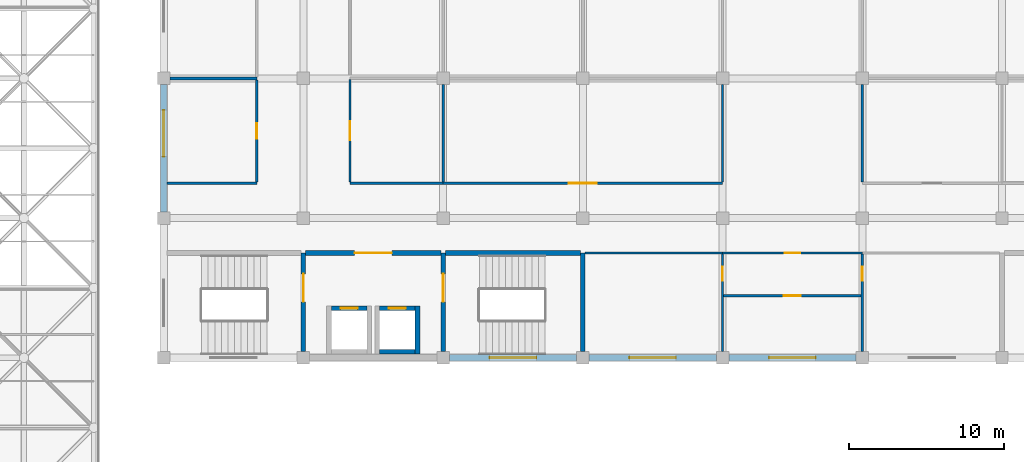
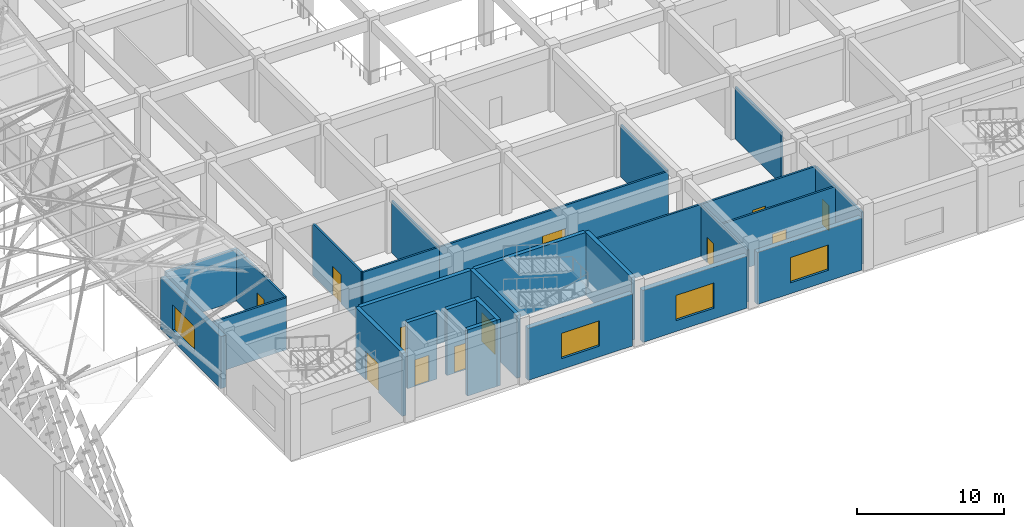
# One storey, part 276 of 437: 27 walls, 12 doors, 4 windows, 16 openings.
"""IFC4 building model written with IfcOpenShell, lengths in metres."""

from ifc_helpers import new_model, si_unit, direction, frame, frame_2d, origin, place, context, subcontext, project, spatial, rectangle, extrude, material, layer, layer_set, type_object, element, fill, save


model = new_model("IFC4")

# Units and contexts
model_context = context("Model", 3, precision=1e-05, world=origin(), true_north=direction((0.0, 1.0)))
body_context = subcontext(model_context, "Body", "Model", "MODEL_VIEW")
ifc_project = project(units=[si_unit("LENGTHUNIT", "METRE"), si_unit("AREAUNIT", "SQUARE_METRE"), si_unit("VOLUMEUNIT", "CUBIC_METRE"), si_unit("PLANEANGLEUNIT", "RADIAN"), si_unit("MASSUNIT", "GRAM", prefix="KILO")], contexts=[model_context])

# Site, building, storey
site_placement = place(None, origin())
site = spatial("IfcSite", under=ifc_project, at=site_placement, CompositionType="ELEMENT")
building_placement = place(site_placement, origin())
building = spatial("IfcBuilding", under=site, at=building_placement, Name="Opaline Strait Convention Centre", CompositionType="ELEMENT")
storey_placement = place(building_placement, frame((0.0, 0.0, 11.5)))
storey = spatial("IfcBuildingStorey", under=building, at=storey_placement, Name="L02", CompositionType="ELEMENT", Elevation=11.5)

# Walls
ifc_material_1 = material(Name="Gypsum board")
ifc_layer_1 = layer(ifc_material_1, 0.050048828125)
ifc_material_2 = material(Name="Steel stud and mineral wool", Category="steel")
ifc_layer_2 = layer(ifc_material_2, 0.10009765625)
ifc_layer_3 = layer(ifc_material_1, 0.050048828125)
ifc_layer_set_1 = layer_set([ifc_layer_1, ifc_layer_2, ifc_layer_3], Name="Gypsum board, Steel stud and mineral wool, Gypsum board")
wall_type_1 = type_object("IfcWallType", Name="Acoustic partition 200 EI45", PredefinedType="PARTITIONING", material=ifc_layer_set_1)
wall_1_placement = place(storey_placement, frame((279.39990234375, 108.0, 0.0), z_axis=(0.0, 0.0, 1.0), x_axis=(1.0, 0.0, 0.0)))
element("IfcWall", 1, at=wall_1_placement, inside=storey, type_object=wall_type_1, Name="MPW5 partition Boardroom 2.01 N", PredefinedType="PARTITIONING", context=body_context, shape_type="SweptSolid", body=[
    extrude(rectangle(XDim=5.60009765625, YDim=0.199951171875, at=frame_2d((2.800048828125, 0.0))), origin(), (0.0, 0.0, 1.0), 4.320068359375),
])
ifc_layer_4 = layer(ifc_material_1, 0.032470703125)
ifc_layer_5 = layer(ifc_material_2, 0.0849609375)
ifc_layer_6 = layer(ifc_material_1, 0.032470703125)
ifc_layer_set_2 = layer_set([ifc_layer_4, ifc_layer_5, ifc_layer_6], Name="Gypsum board, Steel stud and mineral wool, Gypsum board")
wall_type_2 = type_object("IfcWallType", Name="Corridor partition 150 EI60", PredefinedType="PARTITIONING", material=ifc_layer_set_2)
wall_2_placement = place(storey_placement, frame((279.199951171875, 101.25, 0.0), z_axis=(0.0, 0.0, 1.0), x_axis=(1.0, 0.0, 0.0)))
element("IfcWall", 2, at=wall_2_placement, inside=storey, type_object=wall_type_2, Name="MPW1 partition Boardroom 2.01 S", PredefinedType="PARTITIONING", context=body_context, shape_type="SweptSolid", body=[
    extrude(rectangle(XDim=5.800048828125, YDim=0.14990234375, at=frame_2d((2.89990234375, 0.0))), origin(), (0.0, 0.0, 1.0), 4.320068359375),
])

# Wall, opening, door
wall_3_placement = place(storey_placement, frame((285.0, 101.324951171875, 0.0), z_axis=(0.0, 0.0, 1.0), x_axis=(0.0, 1.0, 0.0)))
wall_3 = element("IfcWall", 3, at=wall_3_placement, inside=storey, type_object=wall_type_2, Name="MPW1 partition Boardroom 2.01 E", PredefinedType="PARTITIONING", context=body_context, shape_type="SweptSolid", body=[
    extrude(rectangle(XDim=6.574951171875, YDim=0.14990234375, at=frame_2d((3.28759765625, 0.0))), origin(), (0.0, 0.0, 1.0), 4.320068359375),
])
opening_1_placement = place(wall_3_placement, frame((2.787353515625, 0.0, 0.0)))
opening_1 = element("IfcOpeningElement", 4, at=opening_1_placement, cuts=wall_3, Name="Opening M2-021", PredefinedType="OPENING", context=body_context, shape_type="SweptSolid", body=[
    extrude(rectangle(XDim=1.0, YDim=2.39990234375, at=frame_2d((0.5, 1.199951171875))), frame((0.0, 0.0849609375, 0.0), z_axis=(0.0, -1.0, 0.0), x_axis=(1.0, 0.0, 0.0)), (0.0, 0.0, 1.0), 0.169921875),
])
ifc_material_3 = material(Name="Solid-core timber leaf, steel frame door set", Category="steel")
door_type_1 = type_object("IfcDoorType", Name="Meeting room door FD30 1000 x 2400", OperationType="SINGLE_SWING_LEFT", PredefinedType="DOOR", material=ifc_material_3)
door_1_placement = place(opening_1_placement, frame((1.0, 0.0, 0.0), z_axis=(0.0, 0.0, 1.0), x_axis=(-1.0, 0.0, 0.0)))
door_1 = element("IfcDoor", 5, at=door_1_placement, inside=storey, type_object=door_type_1, Name="Door Boardroom 2.01", ObjectType="MD8", OperationType="SINGLE_SWING_LEFT", OverallHeight=2.39990234375, OverallWidth=1.0, PredefinedType="DOOR", context=body_context, shape_type="SweptSolid", body=[
    extrude(rectangle(XDim=1.0, YDim=2.39990234375, at=frame_2d((0.5, 1.199951171875))), frame((0.0, 0.02490234375, 0.0), z_axis=(0.0, -1.0, 0.0), x_axis=(1.0, 0.0, 0.0)), (0.0, 0.0, 1.0), 0.050048828125),
])
fill(opening_1, door_1)

wall_4_placement = place(storey_placement, frame((297.0, 101.25, 0.0), z_axis=(0.0, 0.0, 1.0), x_axis=(1.0, 0.0, 0.0)))
wall_4 = element("IfcWall", 6, at=wall_4_placement, inside=storey, type_object=wall_type_2, Name="MPW1 partition Meeting Room 2.11 S", PredefinedType="PARTITIONING", context=body_context, shape_type="SweptSolid", body=[
    extrude(rectangle(XDim=18.0, YDim=0.14990234375, at=frame_2d((9.0, 0.0))), origin(), (0.0, 0.0, 1.0), 4.320068359375),
])
opening_2_placement = place(wall_4_placement, frame((8.10009765625, 0.0, 0.0)))
opening_2 = element("IfcOpeningElement", 7, at=opening_2_placement, cuts=wall_4, Name="Opening M2-031", PredefinedType="OPENING", context=body_context, shape_type="SweptSolid", body=[
    extrude(rectangle(XDim=1.800048828125, YDim=2.39990234375, at=frame_2d((0.89990234375, 1.199951171875))), frame((0.0, 0.0849609375, 0.0), z_axis=(0.0, -1.0, 0.0), x_axis=(1.0, 0.0, 0.0)), (0.0, 0.0, 1.0), 0.169921875),
])
door_type_2 = type_object("IfcDoorType", Name="Meeting room double door FD30 1800 x 2400", OperationType="DOUBLE_DOOR_SINGLE_SWING", PredefinedType="DOOR", material=ifc_material_3)
door_2_placement = place(opening_2_placement, frame((1.800048828125, 0.0, 0.0), z_axis=(0.0, 0.0, 1.0), x_axis=(-1.0, 0.0, 0.0)))
door_2 = element("IfcDoor", 8, at=door_2_placement, inside=storey, type_object=door_type_2, Name="Door Meeting Room 2.11", ObjectType="MD7", OperationType="DOUBLE_DOOR_SINGLE_SWING", OverallHeight=2.39990234375, OverallWidth=1.800048828125, PredefinedType="DOOR", context=body_context, shape_type="SweptSolid", body=[
    extrude(rectangle(XDim=1.800048828125, YDim=2.39990234375, at=frame_2d((0.89990234375, 1.199951171875))), frame((0.0, 0.02490234375, 0.0), z_axis=(0.0, -1.0, 0.0), x_axis=(1.0, 0.0, 0.0)), (0.0, 0.0, 1.0), 0.050048828125),
])
fill(opening_2, door_2)

# Walls
wall_5_placement = place(storey_placement, frame((315.0, 101.324951171875, 0.0), z_axis=(0.0, 0.0, 1.0), x_axis=(0.0, 1.0, 0.0)))
element("IfcWall", 9, at=wall_5_placement, inside=storey, type_object=wall_type_2, Name="MPW1 partition Meeting Room 2.11 E", PredefinedType="PARTITIONING", context=body_context, shape_type="SweptSolid", body=[
    extrude(rectangle(XDim=6.275146484375, YDim=0.14990234375, at=frame_2d((3.1376953125, 0.0))), origin(), (0.0, 0.0, 1.0), 4.320068359375),
])
wall_6_placement = place(storey_placement, frame((306.14990234375, 96.75, 0.0), z_axis=(0.0, 0.0, 1.0), x_axis=(1.0, 0.0, 0.0)))
element("IfcWall", 10, at=wall_6_placement, inside=storey, type_object=wall_type_2, Name="MPW1 partition Men's WC 2.S N", PredefinedType="PARTITIONING", context=body_context, shape_type="SweptSolid", body=[
    extrude(rectangle(XDim=8.85009765625, YDim=0.14990234375, at=frame_2d((4.425048828125, 0.0))), origin(), (0.0, 0.0, 1.0), 4.320068359375),
])

# Wall, opening, door
wall_7_placement = place(storey_placement, frame((315.0, 96.75, 0.0), z_axis=(0.0, 0.0, 1.0), x_axis=(1.0, 0.0, 0.0)))
wall_7 = element("IfcWall", 11, at=wall_7_placement, inside=storey, type_object=wall_type_2, Name="MPW1 partition WC Lobby 2.S N", PredefinedType="PARTITIONING", context=body_context, shape_type="SweptSolid", body=[
    extrude(rectangle(XDim=9.0, YDim=0.14990234375, at=frame_2d((4.5, 0.0))), origin(), (0.0, 0.0, 1.0), 4.320068359375),
])
opening_3_placement = place(wall_7_placement, frame((4.0, 0.0, 0.0)))
opening_3 = element("IfcOpeningElement", 12, at=opening_3_placement, cuts=wall_7, Name="Opening M2-053", PredefinedType="OPENING", context=body_context, shape_type="SweptSolid", body=[
    extrude(rectangle(XDim=1.0, YDim=2.39990234375, at=frame_2d((0.5, 1.199951171875))), frame((0.0, 0.0849609375, 0.0), z_axis=(0.0, -1.0, 0.0), x_axis=(1.0, 0.0, 0.0)), (0.0, 0.0, 1.0), 0.169921875),
])
door_3_placement = place(opening_3_placement, origin())
door_3 = element("IfcDoor", 13, at=door_3_placement, inside=storey, type_object=door_type_1, Name="Door WC Lobby 2.S", ObjectType="MD8", OperationType="SINGLE_SWING_LEFT", OverallHeight=2.39990234375, OverallWidth=1.0, PredefinedType="DOOR", context=body_context, shape_type="SweptSolid", body=[
    extrude(rectangle(XDim=1.0, YDim=2.39990234375, at=frame_2d((0.5, 1.199951171875))), frame((0.0, 0.02490234375, 0.0), z_axis=(0.0, -1.0, 0.0), x_axis=(1.0, 0.0, 0.0)), (0.0, 0.0, 1.0), 0.050048828125),
])
fill(opening_3, door_3)

# Wall, opening, window
ifc_material_4 = material(Name="Concrete C40 precast", Category="concrete")
ifc_layer_7 = layer(ifc_material_4, 0.10009765625)
ifc_material_5 = material(Name="Mineral wool insulation")
ifc_layer_8 = layer(ifc_material_5, 0.14990234375)
ifc_layer_9 = layer(ifc_material_4, 0.14990234375)
ifc_layer_set_3 = layer_set([ifc_layer_7, ifc_layer_8, ifc_layer_9], Name="Concrete C40 precast, Mineral wool insulation, Concrete C40 precast")
wall_type_3 = type_object("IfcWallType", Name="External wall 400 insulated precast EI60", PredefinedType="STANDARD", material=ifc_layer_set_3)
wall_8_placement = place(storey_placement, frame((297.39990234375, 90.0, 0.0), z_axis=(0.0, 0.0, 1.0), x_axis=(1.0, 0.0, 0.0)))
wall_8 = element("IfcWall", 14, at=wall_8_placement, inside=storey, type_object=wall_type_3, Name="External wall S L02 34/L", PredefinedType="STANDARD", context=body_context, shape_type="SweptSolid", body=[
    extrude(rectangle(XDim=8.2001953125, YDim=0.39990234375, at=frame_2d((4.10009765625, 0.0))), origin(), (0.0, 0.0, 1.0), 4.320068359375),
])
opening_4_placement = place(wall_8_placement, frame((2.60009765625, 0.0, 0.89990234375)))
opening_4 = element("IfcOpeningElement", 15, at=opening_4_placement, cuts=wall_8, Name="Opening MW2", PredefinedType="OPENING", context=body_context, shape_type="SweptSolid", body=[
    extrude(rectangle(XDim=3.0, YDim=2.10009765625, at=frame_2d((1.5, 1.050048828125))), frame((0.0, 0.2099609375, 0.0), z_axis=(0.0, -1.0, 0.0), x_axis=(1.0, 0.0, 0.0)), (0.0, 0.0, 1.0), 0.419921875),
])
ifc_material_6 = material(Name="Aluminium framed double glazing", Category="aluminium")
window_type = type_object("IfcWindowType", Name="Window 3000 x 2100", PartitioningType="TRIPLE_PANEL_VERTICAL", PredefinedType="WINDOW", material=ifc_material_6)
window_1_placement = place(opening_4_placement, origin())
window_1 = element("IfcWindow", 16, at=window_1_placement, inside=storey, type_object=window_type, Name="Window Escape Stair S2 S", OverallHeight=2.10009765625, OverallWidth=3.0, PartitioningType="TRIPLE_PANEL_VERTICAL", PredefinedType="WINDOW", context=body_context, shape_type="SweptSolid", body=[
    extrude(rectangle(XDim=3.0, YDim=2.10009765625, at=frame_2d((1.5, 1.050048828125))), frame((0.0, 0.030029296875, 0.0), z_axis=(0.0, -1.0, 0.0), x_axis=(1.0, 0.0, 0.0)), (0.0, 0.0, 1.0), 0.06005859375),
])
fill(opening_4, window_1)

wall_9_placement = place(storey_placement, frame((306.39990234375, 90.0, 0.0), z_axis=(0.0, 0.0, 1.0), x_axis=(1.0, 0.0, 0.0)))
wall_9 = element("IfcWall", 17, at=wall_9_placement, inside=storey, type_object=wall_type_3, Name="External wall S L02 35/L", PredefinedType="STANDARD", context=body_context, shape_type="SweptSolid", body=[
    extrude(rectangle(XDim=8.2001953125, YDim=0.39990234375, at=frame_2d((4.10009765625, 0.0))), origin(), (0.0, 0.0, 1.0), 4.320068359375),
])
opening_5_placement = place(wall_9_placement, frame((2.60009765625, 0.0, 0.89990234375)))
opening_5 = element("IfcOpeningElement", 18, at=opening_5_placement, cuts=wall_9, Name="Opening MW2", PredefinedType="OPENING", context=body_context, shape_type="SweptSolid", body=[
    extrude(rectangle(XDim=3.0, YDim=2.10009765625, at=frame_2d((1.5, 1.050048828125))), frame((0.0, 0.2099609375, 0.0), z_axis=(0.0, -1.0, 0.0), x_axis=(1.0, 0.0, 0.0)), (0.0, 0.0, 1.0), 0.419921875),
])
window_2_placement = place(opening_5_placement, origin())
window_2 = element("IfcWindow", 19, at=window_2_placement, inside=storey, type_object=window_type, Name="Window Men's WC 2.S S", OverallHeight=2.10009765625, OverallWidth=3.0, PartitioningType="TRIPLE_PANEL_VERTICAL", PredefinedType="WINDOW", context=body_context, shape_type="SweptSolid", body=[
    extrude(rectangle(XDim=3.0, YDim=2.10009765625, at=frame_2d((1.5, 1.050048828125))), frame((0.0, 0.030029296875, 0.0), z_axis=(0.0, -1.0, 0.0), x_axis=(1.0, 0.0, 0.0)), (0.0, 0.0, 1.0), 0.06005859375),
])
fill(opening_5, window_2)

wall_10_placement = place(storey_placement, frame((315.39990234375, 90.0, 0.0), z_axis=(0.0, 0.0, 1.0), x_axis=(1.0, 0.0, 0.0)))
wall_10 = element("IfcWall", 20, at=wall_10_placement, inside=storey, type_object=wall_type_3, Name="External wall S L02 36/L", PredefinedType="STANDARD", context=body_context, shape_type="SweptSolid", body=[
    extrude(rectangle(XDim=8.2001953125, YDim=0.39990234375, at=frame_2d((4.10009765625, 0.0))), origin(), (0.0, 0.0, 1.0), 4.320068359375),
])
opening_6_placement = place(wall_10_placement, frame((2.60009765625, 0.0, 0.89990234375)))
opening_6 = element("IfcOpeningElement", 21, at=opening_6_placement, cuts=wall_10, Name="Opening MW2", PredefinedType="OPENING", context=body_context, shape_type="SweptSolid", body=[
    extrude(rectangle(XDim=3.0, YDim=2.10009765625, at=frame_2d((1.5, 1.050048828125))), frame((0.0, 0.2099609375, 0.0), z_axis=(0.0, -1.0, 0.0), x_axis=(1.0, 0.0, 0.0)), (0.0, 0.0, 1.0), 0.419921875),
])
window_3_placement = place(opening_6_placement, origin())
window_3 = element("IfcWindow", 22, at=window_3_placement, inside=storey, type_object=window_type, Name="Window Accessible WC 2.S S", OverallHeight=2.10009765625, OverallWidth=3.0, PartitioningType="TRIPLE_PANEL_VERTICAL", PredefinedType="WINDOW", context=body_context, shape_type="SweptSolid", body=[
    extrude(rectangle(XDim=3.0, YDim=2.10009765625, at=frame_2d((1.5, 1.050048828125))), frame((0.0, 0.030029296875, 0.0), z_axis=(0.0, -1.0, 0.0), x_axis=(1.0, 0.0, 0.0)), (0.0, 0.0, 1.0), 0.06005859375),
])
fill(opening_6, window_3)

wall_11_placement = place(storey_placement, frame((279.0, 99.39990234375, 0.0), z_axis=(0.0, 0.0, 1.0), x_axis=(0.0, 1.0, 0.0)))
wall_11 = element("IfcWall", 23, at=wall_11_placement, inside=storey, type_object=wall_type_3, Name="External wall W L02 32/M", PredefinedType="STANDARD", context=body_context, shape_type="SweptSolid", body=[
    extrude(rectangle(XDim=8.2001953125, YDim=0.39990234375, at=frame_2d((4.10009765625, 0.0))), origin(), (0.0, 0.0, 1.0), 4.320068359375),
])
opening_7_placement = place(wall_11_placement, frame((3.5625, 0.0, 0.89990234375)))
opening_7 = element("IfcOpeningElement", 24, at=opening_7_placement, cuts=wall_11, Name="Opening MW2", PredefinedType="OPENING", context=body_context, shape_type="SweptSolid", body=[
    extrude(rectangle(XDim=3.0, YDim=2.10009765625, at=frame_2d((1.5, 1.050048828125))), frame((0.0, 0.2099609375, 0.0), z_axis=(0.0, -1.0, 0.0), x_axis=(1.0, 0.0, 0.0)), (0.0, 0.0, 1.0), 0.419921875),
])
window_4_placement = place(opening_7_placement, origin())
window_4 = element("IfcWindow", 25, at=window_4_placement, inside=storey, type_object=window_type, Name="Window Boardroom 2.01 W", OverallHeight=2.10009765625, OverallWidth=3.0, PartitioningType="TRIPLE_PANEL_VERTICAL", PredefinedType="WINDOW", context=body_context, shape_type="SweptSolid", body=[
    extrude(rectangle(XDim=3.0, YDim=2.10009765625, at=frame_2d((1.5, 1.050048828125))), frame((0.0, 0.030029296875, 0.0), z_axis=(0.0, -1.0, 0.0), x_axis=(1.0, 0.0, 0.0)), (0.0, 0.0, 1.0), 0.06005859375),
])
fill(opening_7, window_4)

# Wall
ifc_layer_10 = layer(ifc_material_1, 0.032470703125)
ifc_layer_11 = layer(ifc_material_2, 0.0849609375)
ifc_layer_12 = layer(ifc_material_1, 0.032470703125)
ifc_layer_set_4 = layer_set([ifc_layer_10, ifc_layer_11, ifc_layer_12], Name="Gypsum board, Steel stud and mineral wool, Gypsum board")
wall_type_4 = type_object("IfcWallType", Name="Plant room partition 150 EI120", PredefinedType="PARTITIONING", material=ifc_layer_set_4)
wall_12_placement = place(storey_placement, frame((291.0, 101.25, 0.0), z_axis=(0.0, 0.0, 1.0), x_axis=(1.0, 0.0, 0.0)))
element("IfcWall", 26, at=wall_12_placement, inside=storey, type_object=wall_type_4, Name="MPW3 partition Plant Room 2.07 S", PredefinedType="PARTITIONING", context=body_context, shape_type="SweptSolid", body=[
    extrude(rectangle(XDim=6.0, YDim=0.14990234375, at=frame_2d((3.0, 0.0))), origin(), (0.0, 0.0, 1.0), 4.320068359375),
])

# Wall, opening, door
wall_13_placement = place(storey_placement, frame((291.0, 101.324951171875, 0.0), z_axis=(0.0, 0.0, 1.0), x_axis=(0.0, 1.0, 0.0)))
wall_13 = element("IfcWall", 27, at=wall_13_placement, inside=storey, type_object=wall_type_4, Name="MPW3 partition Plant Room 2.07 W", PredefinedType="PARTITIONING", context=body_context, shape_type="SweptSolid", body=[
    extrude(rectangle(XDim=6.60009765625, YDim=0.14990234375, at=frame_2d((3.300048828125, 0.0))), origin(), (0.0, 0.0, 1.0), 4.320068359375),
])
opening_8_placement = place(wall_13_placement, frame((2.699951171875, 0.0, 0.0)))
opening_8 = element("IfcOpeningElement", 28, at=opening_8_placement, cuts=wall_13, Name="Opening M2-027", PredefinedType="OPENING", context=body_context, shape_type="SweptSolid", body=[
    extrude(rectangle(XDim=1.199951171875, YDim=2.39990234375, at=frame_2d((0.60009765625, 1.199951171875))), frame((0.0, 0.0849609375, 0.0), z_axis=(0.0, -1.0, 0.0), x_axis=(1.0, 0.0, 0.0)), (0.0, 0.0, 1.0), 0.169921875),
])
ifc_material_7 = material(Name="Steel Q235B", Category="steel")
door_type_3 = type_object("IfcDoorType", Name="Plant room door FD60 1200 x 2400", OperationType="SINGLE_SWING_LEFT", PredefinedType="DOOR", material=ifc_material_7)
door_4_placement = place(opening_8_placement, origin())
door_4 = element("IfcDoor", 29, at=door_4_placement, inside=storey, type_object=door_type_3, Name="Door Plant Room 2.07", ObjectType="MD9", OperationType="SINGLE_SWING_LEFT", OverallHeight=2.39990234375, OverallWidth=1.199951171875, PredefinedType="DOOR", context=body_context, shape_type="SweptSolid", body=[
    extrude(rectangle(XDim=1.199951171875, YDim=2.39990234375, at=frame_2d((0.60009765625, 1.199951171875))), frame((0.0, 0.02490234375, 0.0), z_axis=(0.0, -1.0, 0.0), x_axis=(1.0, 0.0, 0.0)), (0.0, 0.0, 1.0), 0.050048828125),
])
fill(opening_8, door_4)

# Walls
for number, where, z_axis, x_axis, name in (
    (30, (297.0, 101.324951171875, 0.0), (0.0, 0.0, 1.0), (0.0, 1.0, 0.0), "MPW3 partition Plant Room 2.07 E"),
    (31, (324.0, 101.324951171875, 0.0), (0.0, 0.0, 1.0), (0.0, 1.0, 0.0), "MPW3 partition Plant Room 2.12 W"),
):
    element("IfcWall", number, at=place(storey_placement, frame(where, z_axis=z_axis, x_axis=x_axis)), inside=storey, type_object=wall_type_4, Name=name, PredefinedType="PARTITIONING", context=body_context, shape_type="SweptSolid", body=[
        extrude(rectangle(XDim=6.275146484375, YDim=0.14990234375, at=frame_2d((3.1376953125, 0.0))), origin(), (0.0, 0.0, 1.0), 4.320068359375),
    ])

# Wall, opening, door
ifc_material_8 = material(Name="Concrete C40", Category="concrete")
ifc_layer_13 = layer(ifc_material_8, 0.300048828125)
ifc_layer_set_5 = layer_set([ifc_layer_13], Name="Concrete C40")
wall_type_5 = type_object("IfcWallType", Name="RC core wall 300 C40", PredefinedType="SHEAR", material=ifc_layer_set_5)
wall_14_placement = place(storey_placement, frame((288.0, 90.39990234375, 0.0), z_axis=(0.0, 0.0, 1.0), x_axis=(0.0, 1.0, 0.0)))
wall_14 = element("IfcWall", 32, at=wall_14_placement, inside=storey, type_object=wall_type_5, Name="Core wall SW-L02", PredefinedType="SHEAR", context=body_context, shape_type="SweptSolid", body=[
    extrude(rectangle(XDim=6.35009765625, YDim=0.300048828125, at=frame_2d((3.175048828125, 0.0))), origin(), (0.0, 0.0, 1.0), 5.219970703125),
])
opening_9_placement = place(wall_14_placement, frame((3.2001953125, 0.0, 0.0)))
opening_9 = element("IfcOpeningElement", 33, at=opening_9_placement, cuts=wall_14, Name="Opening M2-001", PredefinedType="OPENING", context=body_context, shape_type="SweptSolid", body=[
    extrude(rectangle(XDim=1.800048828125, YDim=2.39990234375, at=frame_2d((0.89990234375, 1.199951171875))), frame((0.0, 0.159912109375, 0.0), z_axis=(0.0, -1.0, 0.0), x_axis=(1.0, 0.0, 0.0)), (0.0, 0.0, 1.0), 0.320068359375),
])
door_type_4 = type_object("IfcDoorType", Name="Stair door FD60 1800 x 2400", OperationType="DOUBLE_DOOR_SINGLE_SWING", PredefinedType="DOOR", material=ifc_material_7)
door_5_placement = place(opening_9_placement, frame((1.800048828125, 0.0, 0.0), z_axis=(0.0, 0.0, 1.0), x_axis=(-1.0, 0.0, 0.0)))
door_5 = element("IfcDoor", 34, at=door_5_placement, inside=storey, type_object=door_type_4, Name="Escape stair S1 door L02", ObjectType="MD4", OperationType="DOUBLE_DOOR_SINGLE_SWING", OverallHeight=2.39990234375, OverallWidth=1.800048828125, PredefinedType="DOOR", context=body_context, shape_type="SweptSolid", body=[
    extrude(rectangle(XDim=1.800048828125, YDim=2.39990234375, at=frame_2d((0.89990234375, 1.199951171875))), frame((0.0, 0.02490234375, 0.0), z_axis=(0.0, -1.0, 0.0), x_axis=(1.0, 0.0, 0.0)), (0.0, 0.0, 1.0), 0.050048828125),
])
fill(opening_9, door_5)

wall_15_placement = place(storey_placement, frame((297.0, 90.39990234375, 0.0), z_axis=(0.0, 0.0, 1.0), x_axis=(0.0, 1.0, 0.0)))
wall_15 = element("IfcWall", 35, at=wall_15_placement, inside=storey, type_object=wall_type_5, Name="Core wall SW-L02", PredefinedType="SHEAR", context=body_context, shape_type="SweptSolid", body=[
    extrude(rectangle(XDim=6.35009765625, YDim=0.300048828125, at=frame_2d((3.175048828125, 0.0))), origin(), (0.0, 0.0, 1.0), 5.219970703125),
])
opening_10_placement = place(wall_15_placement, frame((3.2001953125, 0.0, 0.0)))
opening_10 = element("IfcOpeningElement", 36, at=opening_10_placement, cuts=wall_15, Name="Opening M2-002", PredefinedType="OPENING", context=body_context, shape_type="SweptSolid", body=[
    extrude(rectangle(XDim=1.800048828125, YDim=2.39990234375, at=frame_2d((0.89990234375, 1.199951171875))), frame((0.0, 0.159912109375, 0.0), z_axis=(0.0, -1.0, 0.0), x_axis=(1.0, 0.0, 0.0)), (0.0, 0.0, 1.0), 0.320068359375),
])
door_6_placement = place(opening_10_placement, origin())
door_6 = element("IfcDoor", 37, at=door_6_placement, inside=storey, type_object=door_type_4, Name="Escape stair S2 door L02", ObjectType="MD4", OperationType="DOUBLE_DOOR_SINGLE_SWING", OverallHeight=2.39990234375, OverallWidth=1.800048828125, PredefinedType="DOOR", context=body_context, shape_type="SweptSolid", body=[
    extrude(rectangle(XDim=1.800048828125, YDim=2.39990234375, at=frame_2d((0.89990234375, 1.199951171875))), frame((0.0, 0.02490234375, 0.0), z_axis=(0.0, -1.0, 0.0), x_axis=(1.0, 0.0, 0.0)), (0.0, 0.0, 1.0), 0.050048828125),
])
fill(opening_10, door_6)

# Wall
wall_16_placement = place(storey_placement, frame((306.0, 90.39990234375, 0.0), z_axis=(0.0, 0.0, 1.0), x_axis=(0.0, 1.0, 0.0)))
element("IfcWall", 38, at=wall_16_placement, inside=storey, type_object=wall_type_5, Name="Core wall SW-L02", PredefinedType="SHEAR", context=body_context, shape_type="SweptSolid", body=[
    extrude(rectangle(XDim=6.35009765625, YDim=0.300048828125, at=frame_2d((3.175048828125, 0.0))), origin(), (0.0, 0.0, 1.0), 5.219970703125),
])

# Wall, opening, door
wall_17_placement = place(storey_placement, frame((288.14990234375, 96.75, 0.0), z_axis=(0.0, 0.0, 1.0), x_axis=(1.0, 0.0, 0.0)))
wall_17 = element("IfcWall", 39, at=wall_17_placement, inside=storey, type_object=wall_type_5, Name="Core wall SW-L02", PredefinedType="SHEAR", context=body_context, shape_type="SweptSolid", body=[
    extrude(rectangle(XDim=8.7001953125, YDim=0.300048828125, at=frame_2d((4.35009765625, 0.0))), origin(), (0.0, 0.0, 1.0), 5.219970703125),
])
opening_11_placement = place(wall_17_placement, frame((3.150146484375, 0.0, 0.0)))
opening_11 = element("IfcOpeningElement", 40, at=opening_11_placement, cuts=wall_17, Name="Opening M2-003", PredefinedType="OPENING", context=body_context, shape_type="SweptSolid", body=[
    extrude(rectangle(XDim=2.39990234375, YDim=2.39990234375, at=frame_2d((1.199951171875, 1.199951171875))), frame((0.0, 0.159912109375, 0.0), z_axis=(0.0, -1.0, 0.0), x_axis=(1.0, 0.0, 0.0)), (0.0, 0.0, 1.0), 0.320068359375),
])
door_type_5 = type_object("IfcDoorType", Name="Lift lobby double door FD60 2400 x 2400", OperationType="DOUBLE_DOOR_SINGLE_SWING", PredefinedType="DOOR", material=ifc_material_7)
door_7_placement = place(opening_11_placement, origin())
door_7 = element("IfcDoor", 41, at=door_7_placement, inside=storey, type_object=door_type_5, Name="Lift lobby SW door L02", ObjectType="MD5", OperationType="DOUBLE_DOOR_SINGLE_SWING", OverallHeight=2.39990234375, OverallWidth=2.39990234375, PredefinedType="DOOR", context=body_context, shape_type="SweptSolid", body=[
    extrude(rectangle(XDim=2.39990234375, YDim=2.39990234375, at=frame_2d((1.199951171875, 1.199951171875))), frame((0.0, 0.02490234375, 0.0), z_axis=(0.0, -1.0, 0.0), x_axis=(1.0, 0.0, 0.0)), (0.0, 0.0, 1.0), 0.050048828125),
])
fill(opening_11, door_7)

# Wall
wall_18_placement = place(storey_placement, frame((297.14990234375, 96.75, 0.0), z_axis=(0.0, 0.0, 1.0), x_axis=(1.0, 0.0, 0.0)))
element("IfcWall", 42, at=wall_18_placement, inside=storey, type_object=wall_type_5, Name="Core wall SW-L02", PredefinedType="SHEAR", context=body_context, shape_type="SweptSolid", body=[
    extrude(rectangle(XDim=8.7001953125, YDim=0.300048828125, at=frame_2d((4.35009765625, 0.0))), origin(), (0.0, 0.0, 1.0), 5.219970703125),
])

# Wall, opening, door
ifc_layer_14 = layer(ifc_material_8, 0.300048828125)
ifc_layer_set_6 = layer_set([ifc_layer_14], Name="Concrete C40")
wall_type_6 = type_object("IfcWallType", Name="RC lift shaft wall 300 C40", PredefinedType="SHEAR", material=ifc_layer_set_6)
wall_19_placement = place(storey_placement, frame((289.800048828125, 93.199951171875, 0.0), z_axis=(0.0, 0.0, 1.0), x_axis=(1.0, 0.0, 0.0)))
wall_19 = element("IfcWall", 43, at=wall_19_placement, inside=storey, type_object=wall_type_6, Name="Lift shaft SW1 wall L02", PredefinedType="SHEAR", context=body_context, shape_type="SweptSolid", body=[
    extrude(rectangle(XDim=2.300048828125, YDim=0.300048828125, at=frame_2d((1.14990234375, 0.0))), origin(), (0.0, 0.0, 1.0), 5.5),
])
opening_12_placement = place(wall_19_placement, frame((0.599853515625, 0.0, 0.0)))
opening_12 = element("IfcOpeningElement", 44, at=opening_12_placement, cuts=wall_19, Name="Opening M2-004", PredefinedType="OPENING", context=body_context, shape_type="SweptSolid", body=[
    extrude(rectangle(XDim=1.10009765625, YDim=2.199951171875, at=frame_2d((0.550048828125, 1.10009765625))), frame((0.0, 0.159912109375, 0.0), z_axis=(0.0, -1.0, 0.0), x_axis=(1.0, 0.0, 0.0)), (0.0, 0.0, 1.0), 0.320068359375),
])
ifc_material_9 = material(Name="Stainless steel 304", Category="steel")
door_type_6 = type_object("IfcDoorType", Name="Lift landing door FD60 1100 x 2200", OperationType="SLIDING_TO_LEFT", PredefinedType="DOOR", material=ifc_material_9)
door_8_placement = place(opening_12_placement, origin())
door_8 = element("IfcDoor", 45, at=door_8_placement, inside=storey, type_object=door_type_6, Name="Lift landing door SW1 L02", ObjectType="MD6", OperationType="SLIDING_TO_RIGHT", OverallHeight=2.199951171875, OverallWidth=1.10009765625, PredefinedType="DOOR", context=body_context, shape_type="SweptSolid", body=[
    extrude(rectangle(XDim=1.10009765625, YDim=2.199951171875, at=frame_2d((0.550048828125, 1.10009765625))), frame((0.0, 0.02490234375, 0.0), z_axis=(0.0, -1.0, 0.0), x_axis=(1.0, 0.0, 0.0)), (0.0, 0.0, 1.0), 0.050048828125),
])
fill(opening_12, door_8)

# Walls
wall_20_placement = place(storey_placement, frame((295.35009765625, 90.25, 0.0), z_axis=(0.0, 0.0, 1.0), x_axis=(0.0, 1.0, 0.0)))
element("IfcWall", 46, at=wall_20_placement, inside=storey, type_object=wall_type_6, Name="Lift shaft SW2 wall L02", PredefinedType="SHEAR", context=body_context, shape_type="SweptSolid", body=[
    extrude(rectangle(XDim=3.10009765625, YDim=0.300048828125, at=frame_2d((1.550048828125, 0.0))), origin(), (0.0, 0.0, 1.0), 5.5),
])
wall_21_placement = place(storey_placement, frame((292.89990234375, 90.39990234375, 0.0), z_axis=(0.0, 0.0, 1.0), x_axis=(1.0, 0.0, 0.0)))
element("IfcWall", 47, at=wall_21_placement, inside=storey, type_object=wall_type_6, Name="Lift shaft SW2 wall L02", PredefinedType="SHEAR", context=body_context, shape_type="SweptSolid", body=[
    extrude(rectangle(XDim=2.300048828125, YDim=0.300048828125, at=frame_2d((1.14990234375, 0.0))), origin(), (0.0, 0.0, 1.0), 5.5),
])

# Wall, opening, door
wall_22_placement = place(storey_placement, frame((292.89990234375, 93.199951171875, 0.0), z_axis=(0.0, 0.0, 1.0), x_axis=(1.0, 0.0, 0.0)))
wall_22 = element("IfcWall", 48, at=wall_22_placement, inside=storey, type_object=wall_type_6, Name="Lift shaft SW2 wall L02", PredefinedType="SHEAR", context=body_context, shape_type="SweptSolid", body=[
    extrude(rectangle(XDim=2.300048828125, YDim=0.300048828125, at=frame_2d((1.14990234375, 0.0))), origin(), (0.0, 0.0, 1.0), 5.5),
])
opening_13_placement = place(wall_22_placement, frame((0.60009765625, 0.0, 0.0)))
opening_13 = element("IfcOpeningElement", 49, at=opening_13_placement, cuts=wall_22, Name="Opening M2-005", PredefinedType="OPENING", context=body_context, shape_type="SweptSolid", body=[
    extrude(rectangle(XDim=1.10009765625, YDim=2.199951171875, at=frame_2d((0.550048828125, 1.10009765625))), frame((0.0, 0.159912109375, 0.0), z_axis=(0.0, -1.0, 0.0), x_axis=(1.0, 0.0, 0.0)), (0.0, 0.0, 1.0), 0.320068359375),
])
door_9_placement = place(opening_13_placement, origin())
door_9 = element("IfcDoor", 50, at=door_9_placement, inside=storey, type_object=door_type_6, Name="Lift landing door SW2 L02", ObjectType="MD6", OperationType="SLIDING_TO_LEFT", OverallHeight=2.199951171875, OverallWidth=1.10009765625, PredefinedType="DOOR", context=body_context, shape_type="SweptSolid", body=[
    extrude(rectangle(XDim=1.10009765625, YDim=2.199951171875, at=frame_2d((0.550048828125, 1.10009765625))), frame((0.0, 0.02490234375, 0.0), z_axis=(0.0, -1.0, 0.0), x_axis=(1.0, 0.0, 0.0)), (0.0, 0.0, 1.0), 0.050048828125),
])
fill(opening_13, door_9)

ifc_layer_15 = layer(ifc_material_1, 0.032470703125)
ifc_layer_16 = layer(ifc_material_2, 0.0849609375)
ifc_layer_17 = layer(ifc_material_1, 0.032470703125)
ifc_layer_set_7 = layer_set([ifc_layer_15, ifc_layer_16, ifc_layer_17], Name="Gypsum board, Steel stud and mineral wool, Gypsum board")
wall_type_7 = type_object("IfcWallType", Name="Wet-area partition 150 EI45", PredefinedType="PARTITIONING", material=ifc_layer_set_7)
wall_23_placement = place(storey_placement, frame((315.0, 90.39990234375, 0.0), z_axis=(0.0, 0.0, 1.0), x_axis=(0.0, 1.0, 0.0)))
wall_23 = element("IfcWall", 51, at=wall_23_placement, inside=storey, type_object=wall_type_7, Name="MPW4 partition Men's WC 2.S E", PredefinedType="PARTITIONING", context=body_context, shape_type="SweptSolid", body=[
    extrude(rectangle(XDim=6.275146484375, YDim=0.14990234375, at=frame_2d((3.1376953125, 0.0))), origin(), (0.0, 0.0, 1.0), 4.320068359375),
])
opening_14_placement = place(wall_23_placement, frame((4.550048828125, 0.0, 0.0)))
opening_14 = element("IfcOpeningElement", 52, at=opening_14_placement, cuts=wall_23, Name="Opening M2-050", PredefinedType="OPENING", context=body_context, shape_type="SweptSolid", body=[
    extrude(rectangle(XDim=0.89990234375, YDim=2.10009765625, at=frame_2d((0.449951171875, 1.050048828125))), frame((0.0, 0.0849609375, 0.0), z_axis=(0.0, -1.0, 0.0), x_axis=(1.0, 0.0, 0.0)), (0.0, 0.0, 1.0), 0.169921875),
])
door_type_7 = type_object("IfcDoorType", Name="WC door 900 x 2100", OperationType="SINGLE_SWING_LEFT", PredefinedType="DOOR", material=ifc_material_3)
door_10_placement = place(opening_14_placement, origin())
door_10 = element("IfcDoor", 53, at=door_10_placement, inside=storey, type_object=door_type_7, Name="Door Men's WC 2.S", ObjectType="MD11", OperationType="SINGLE_SWING_RIGHT", OverallHeight=2.10009765625, OverallWidth=0.89990234375, PredefinedType="DOOR", context=body_context, shape_type="SweptSolid", body=[
    extrude(rectangle(XDim=0.89990234375, YDim=2.10009765625, at=frame_2d((0.449951171875, 1.050048828125))), frame((0.0, 0.02490234375, 0.0), z_axis=(0.0, -1.0, 0.0), x_axis=(1.0, 0.0, 0.0)), (0.0, 0.0, 1.0), 0.050048828125),
])
fill(opening_14, door_10)

wall_24_placement = place(storey_placement, frame((324.0, 90.39990234375, 0.0), z_axis=(0.0, 0.0, 1.0), x_axis=(0.0, 1.0, 0.0)))
wall_24 = element("IfcWall", 54, at=wall_24_placement, inside=storey, type_object=wall_type_7, Name="MPW4 partition Women's WC 2.S W", PredefinedType="PARTITIONING", context=body_context, shape_type="SweptSolid", body=[
    extrude(rectangle(XDim=6.275146484375, YDim=0.14990234375, at=frame_2d((3.1376953125, 0.0))), origin(), (0.0, 0.0, 1.0), 4.320068359375),
])
opening_15_placement = place(wall_24_placement, frame((4.550048828125, 0.0, 0.0)))
opening_15 = element("IfcOpeningElement", 55, at=opening_15_placement, cuts=wall_24, Name="Opening M2-051", PredefinedType="OPENING", context=body_context, shape_type="SweptSolid", body=[
    extrude(rectangle(XDim=0.89990234375, YDim=2.10009765625, at=frame_2d((0.449951171875, 1.050048828125))), frame((0.0, 0.0849609375, 0.0), z_axis=(0.0, -1.0, 0.0), x_axis=(1.0, 0.0, 0.0)), (0.0, 0.0, 1.0), 0.169921875),
])
door_11_placement = place(opening_15_placement, frame((0.89990234375, 0.0, 0.0), z_axis=(0.0, 0.0, 1.0), x_axis=(-1.0, 0.0, 0.0)))
door_11 = element("IfcDoor", 56, at=door_11_placement, inside=storey, type_object=door_type_7, Name="Door Women's WC 2.S", ObjectType="MD11", OperationType="SINGLE_SWING_RIGHT", OverallHeight=2.10009765625, OverallWidth=0.89990234375, PredefinedType="DOOR", context=body_context, shape_type="SweptSolid", body=[
    extrude(rectangle(XDim=0.89990234375, YDim=2.10009765625, at=frame_2d((0.449951171875, 1.050048828125))), frame((0.0, 0.02490234375, 0.0), z_axis=(0.0, -1.0, 0.0), x_axis=(1.0, 0.0, 0.0)), (0.0, 0.0, 1.0), 0.050048828125),
])
fill(opening_15, door_11)

wall_25_placement = place(storey_placement, frame((315.074951171875, 94.0, 0.0), z_axis=(0.0, 0.0, 1.0), x_axis=(1.0, 0.0, 0.0)))
wall_25 = element("IfcWall", 57, at=wall_25_placement, inside=storey, type_object=wall_type_7, Name="MPW4 partition Accessible WC 2.S N", PredefinedType="PARTITIONING", context=body_context, shape_type="SweptSolid", body=[
    extrude(rectangle(XDim=8.85009765625, YDim=0.14990234375, at=frame_2d((4.425048828125, 0.0))), origin(), (0.0, 0.0, 1.0), 4.320068359375),
])
opening_16_placement = place(wall_25_placement, frame((3.875, 0.0, 0.0)))
opening_16 = element("IfcOpeningElement", 58, at=opening_16_placement, cuts=wall_25, Name="Opening M2-052", PredefinedType="OPENING", context=body_context, shape_type="SweptSolid", body=[
    extrude(rectangle(XDim=1.10009765625, YDim=2.10009765625, at=frame_2d((0.550048828125, 1.050048828125))), frame((0.0, 0.0849609375, 0.0), z_axis=(0.0, -1.0, 0.0), x_axis=(1.0, 0.0, 0.0)), (0.0, 0.0, 1.0), 0.169921875),
])
door_type_8 = type_object("IfcDoorType", Name="Accessible WC door 1100 x 2100", OperationType="SINGLE_SWING_LEFT", PredefinedType="DOOR", material=ifc_material_3)
door_12_placement = place(opening_16_placement, origin())
door_12 = element("IfcDoor", 59, at=door_12_placement, inside=storey, type_object=door_type_8, Name="Door Accessible WC 2.S", ObjectType="MD12", OperationType="SINGLE_SWING_LEFT", OverallHeight=2.10009765625, OverallWidth=1.10009765625, PredefinedType="DOOR", context=body_context, shape_type="SweptSolid", body=[
    extrude(rectangle(XDim=1.10009765625, YDim=2.10009765625, at=frame_2d((0.550048828125, 1.050048828125))), frame((0.0, 0.02490234375, 0.0), z_axis=(0.0, -1.0, 0.0), x_axis=(1.0, 0.0, 0.0)), (0.0, 0.0, 1.0), 0.050048828125),
])
fill(opening_16, door_12)

save(model, "model.ifc")
